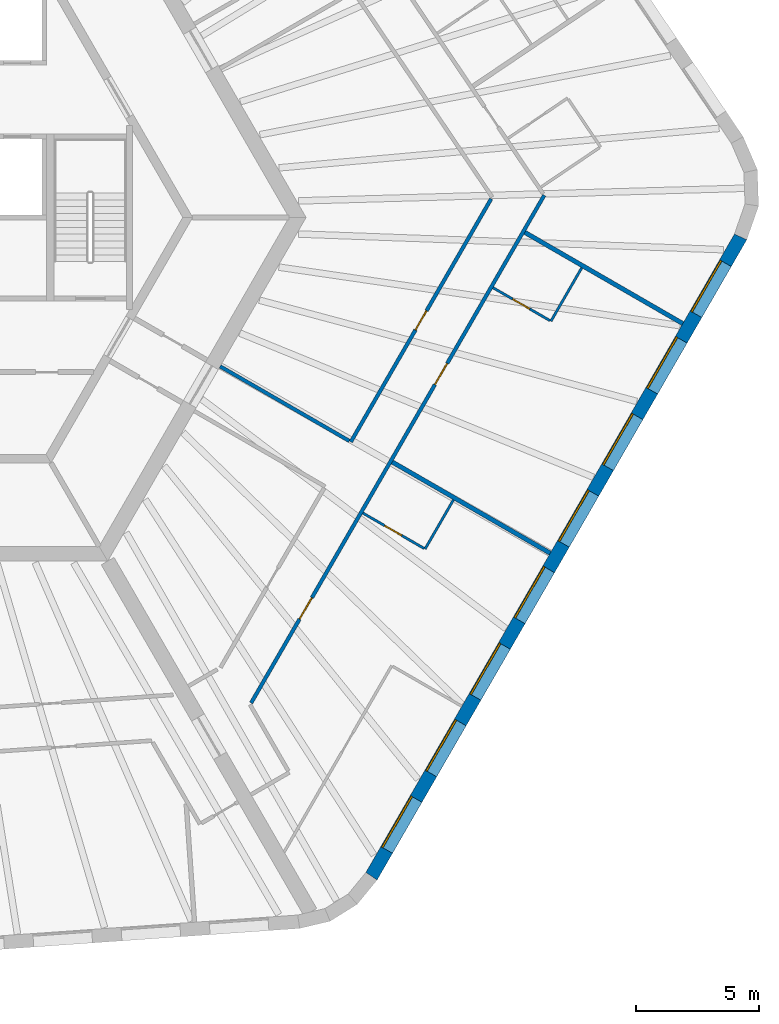
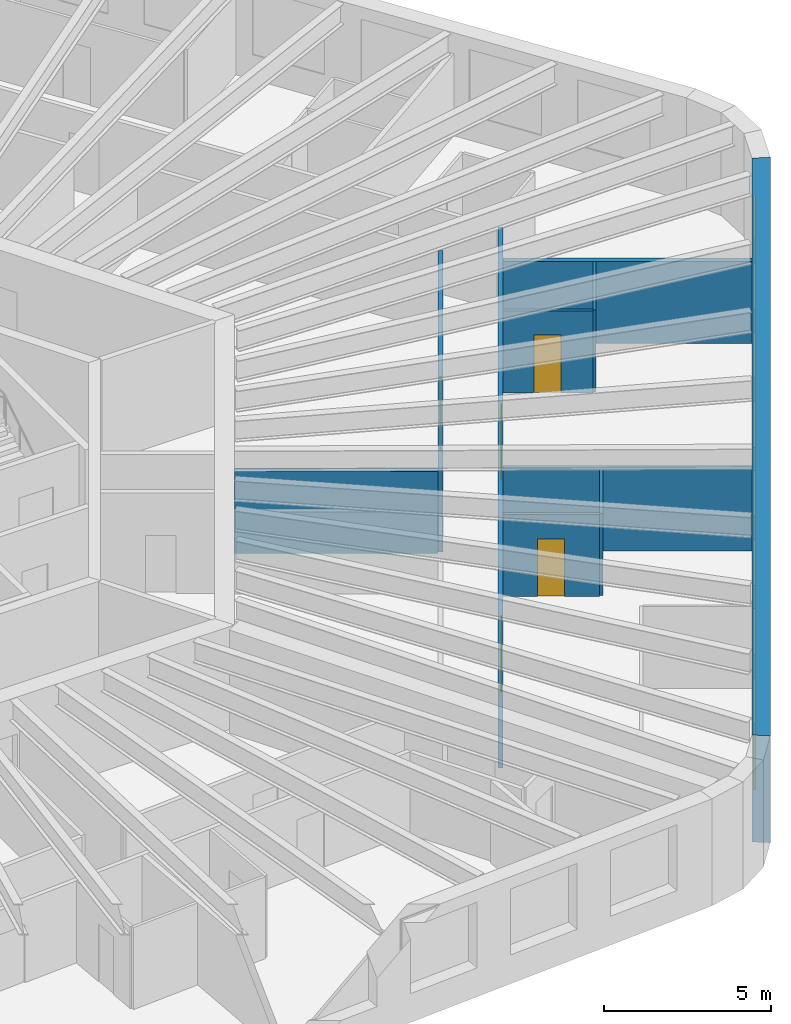
# One storey, part 6 of 12: 10 walls, 8 windows, 5 doors, 13 openings.
"""IFC4 building model written with IfcOpenShell, lengths in metres."""

from ifc_helpers import new_model, si_unit, direction, frame, frame_2d, origin, place, context, subcontext, project, spatial, polyline, rectangle, outline, extrude, material, layer, layer_set, type_object, element, fill, save


model = new_model("IFC4")

# Units and contexts
model_context = context("Model", 3, precision=1e-05, world=origin(), true_north=direction((0.0, 1.0)))
body_context = subcontext(model_context, "Body", "Model", "MODEL_VIEW")
ifc_project = project(units=[si_unit("LENGTHUNIT", "METRE"), si_unit("AREAUNIT", "SQUARE_METRE"), si_unit("VOLUMEUNIT", "CUBIC_METRE"), si_unit("PLANEANGLEUNIT", "RADIAN"), si_unit("MASSUNIT", "GRAM", prefix="KILO")], contexts=[model_context])

# Site, building, storey
site_placement = place(None, origin())
site = spatial("IfcSite", under=ifc_project, at=site_placement, CompositionType="ELEMENT")
building_placement = place(site_placement, origin())
building = spatial("IfcBuilding", under=site, at=building_placement, Name="Tarnside Tower", CompositionType="ELEMENT")
storey_placement = place(building_placement, frame((0.0, 0.0, 76.5)))
storey = spatial("IfcBuildingStorey", under=building, at=storey_placement, Name="L16", CompositionType="ELEMENT", Elevation=76.5)

# Wall
ifc_material_1 = material(Name="Gypsum board partition on steel studs", Category="steel")
ifc_layer_1 = layer(ifc_material_1, 0.10009765625)
ifc_layer_set_1 = layer_set([ifc_layer_1], Name="Bathroom wall 100")
wall_type_1 = type_object("IfcWallType", Name="Bathroom wall 100", PredefinedType="PARTITIONING", material=ifc_layer_set_1)
wall_1_placement = place(storey_placement, frame((22.16796875, -11.504150390625, 0.0), z_axis=(0.0, 0.0, 1.0), x_axis=(-0.500015210774, -0.866016621662, 0.0)))
element("IfcWall", 1, at=wall_1_placement, inside=storey, type_object=wall_type_1, Name="Bathroom wall 04127", PredefinedType="PARTITIONING", context=body_context, shape_type="SweptSolid", body=[
    extrude(rectangle(XDim=2.31005859375, YDim=0.10009765625, at=frame_2d((1.155029296875, 0.0))), origin(), (0.0, 0.0, 1.0), 2.98779296875),
])

# Wall, opening, door
wall_2_placement = place(storey_placement, frame((20.969482421875, -13.479736328125, 0.0), z_axis=(0.0, 0.0, 1.0), x_axis=(-0.866018712932, 0.500011588718, 0.0)))
wall_2 = element("IfcWall", 2, at=wall_2_placement, inside=storey, type_object=wall_type_1, Name="Bathroom wall 04128", PredefinedType="PARTITIONING", context=body_context, shape_type="SweptSolid", body=[
    extrude(rectangle(XDim=2.875, YDim=0.10009765625, at=frame_2d((1.4375, 0.0))), origin(), (0.0, 0.0, 1.0), 2.98779296875),
])
opening_1_placement = place(wall_2_placement, frame((1.050048828125, 0.0, 0.0)))
opening_1 = element("IfcOpeningElement", 3, at=opening_1_placement, cuts=wall_2, Name="Opening D-B1", PredefinedType="OPENING", context=body_context, shape_type="SweptSolid", body=[
    extrude(rectangle(XDim=0.800048828125, YDim=2.10009765625, at=frame_2d((0.39990234375, 1.050048828125))), frame((0.0, 0.06005859375, 0.0), z_axis=(0.0, -1.0, 0.0), x_axis=(1.0, 0.0, 0.0)), (0.0, 0.0, 1.0), 0.1201171875),
])
ifc_material_2 = material(Name="Timber door leaf", Category="wood")
door_type_1 = type_object("IfcDoorType", Name="Bathroom door 800", OperationType="NOTDEFINED", PredefinedType="DOOR", material=ifc_material_2)
door_1_placement = place(opening_1_placement, origin())
door_1 = element("IfcDoor", 4, at=door_1_placement, inside=storey, type_object=door_type_1, Name="Bathroom door 04029", OperationType="SINGLE_SWING_RIGHT", OverallHeight=2.10009765625, OverallWidth=0.800048828125, PredefinedType="DOOR", context=body_context, shape_type="SweptSolid", body=[
    extrude(rectangle(XDim=0.800048828125, YDim=2.10009765625, at=frame_2d((0.39990234375, 1.050048828125))), frame((0.0, 0.02490234375, 0.0), z_axis=(0.0, -1.0, 0.0), x_axis=(1.0, 0.0, 0.0)), (0.0, 0.0, 1.0), 0.050048828125),
])
fill(opening_1, door_1)

# Wall
wall_3_placement = place(storey_placement, frame((27.394775390625, -2.051025390625, 0.0), z_axis=(0.0, 0.0, 1.0), x_axis=(-0.50001992892, -0.866013897511, 0.0)))
element("IfcWall", 5, at=wall_3_placement, inside=storey, type_object=wall_type_1, Name="Bathroom wall 04133", PredefinedType="PARTITIONING", context=body_context, shape_type="SweptSolid", body=[
    extrude(rectangle(XDim=2.51025390625, YDim=0.10009765625, at=frame_2d((1.255126953125, 0.0))), origin(), (0.0, 0.0, 1.0), 2.98779296875),
])

# Wall, opening, door
wall_4_placement = place(storey_placement, frame((26.096435546875, -4.19970703125, 0.0), z_axis=(0.0, 0.0, 1.0), x_axis=(-0.86604424267, 0.499967368674, 0.0)))
wall_4 = element("IfcWall", 6, at=wall_4_placement, inside=storey, type_object=wall_type_1, Name="Bathroom wall 04134", PredefinedType="PARTITIONING", context=body_context, shape_type="SweptSolid", body=[
    extrude(rectangle(XDim=2.675048828125, YDim=0.10009765625, at=frame_2d((1.33740234375, 0.0))), origin(), (0.0, 0.0, 1.0), 2.98779296875),
])
opening_2_placement = place(wall_4_placement, frame((0.949951171875, 0.0, 0.0)))
opening_2 = element("IfcOpeningElement", 7, at=opening_2_placement, cuts=wall_4, Name="Opening D-B1", PredefinedType="OPENING", context=body_context, shape_type="SweptSolid", body=[
    extrude(rectangle(XDim=0.800048828125, YDim=2.10009765625, at=frame_2d((0.39990234375, 1.050048828125))), frame((0.0, 0.06005859375, 0.0), z_axis=(0.0, -1.0, 0.0), x_axis=(1.0, 0.0, 0.0)), (0.0, 0.0, 1.0), 0.1201171875),
])
door_2_placement = place(opening_2_placement, origin())
door_2 = element("IfcDoor", 8, at=door_2_placement, inside=storey, type_object=door_type_1, Name="Bathroom door 04032", OperationType="SINGLE_SWING_LEFT", OverallHeight=2.10009765625, OverallWidth=0.800048828125, PredefinedType="DOOR", context=body_context, shape_type="SweptSolid", body=[
    extrude(rectangle(XDim=0.800048828125, YDim=2.10009765625, at=frame_2d((0.39990234375, 1.050048828125))), frame((0.0, 0.02490234375, 0.0), z_axis=(0.0, -1.0, 0.0), x_axis=(1.0, 0.0, 0.0)), (0.0, 0.0, 1.0), 0.050048828125),
])
fill(opening_2, door_2)

# Wall, openings, doors
ifc_layer_2 = layer(ifc_material_1, 0.14990234375)
ifc_layer_set_2 = layer_set([ifc_layer_2], Name="Corridor wall 150 EI 60")
wall_type_2 = type_object("IfcWallType", Name="Corridor wall 150 EI 60", PredefinedType="PARTITIONING", material=ifc_layer_set_2)
wall_5_placement = place(storey_placement, frame((13.928466796875, -19.77490234375, 0.0), z_axis=(0.0, 0.0, 1.0), x_axis=(0.50000450071, 0.866022805283, 0.0)))
wall_5 = element("IfcWall", 9, at=wall_5_placement, inside=storey, type_object=wall_type_2, Name="Corridor wall 04052", PredefinedType="PARTITIONING", context=body_context, shape_type="SweptSolid", body=[
    extrude(rectangle(XDim=23.877197265625, YDim=0.14990234375, at=frame_2d((11.9384765625, 0.0))), origin(), (0.0, 0.0, 1.0), 2.98779296875),
])
opening_3_placement = place(wall_5_placement, frame((3.94287109375, 0.0, 0.0)))
opening_3 = element("IfcOpeningElement", 10, at=opening_3_placement, cuts=wall_5, Name="Opening D-E1", PredefinedType="OPENING", context=body_context, shape_type="SweptSolid", body=[
    extrude(rectangle(XDim=1.0, YDim=2.10009765625, at=frame_2d((0.5, 1.050048828125))), frame((0.0, 0.0849609375, 0.0), z_axis=(0.0, -1.0, 0.0), x_axis=(1.0, 0.0, 0.0)), (0.0, 0.0, 1.0), 0.169921875),
])
opening_4_placement = place(wall_5_placement, frame((14.972412109375, 0.0, 0.0)))
opening_4 = element("IfcOpeningElement", 11, at=opening_4_placement, cuts=wall_5, Name="Opening D-E1", PredefinedType="OPENING", context=body_context, shape_type="SweptSolid", body=[
    extrude(rectangle(XDim=1.0, YDim=2.10009765625, at=frame_2d((0.5, 1.050048828125))), frame((0.0, 0.0849609375, 0.0), z_axis=(0.0, -1.0, 0.0), x_axis=(1.0, 0.0, 0.0)), (0.0, 0.0, 1.0), 0.169921875),
])
door_type_2 = type_object("IfcDoorType", Name="Unit entrance door 1000 FD30S", OperationType="NOTDEFINED", PredefinedType="DOOR", material=ifc_material_2)
door_3_placement = place(opening_3_placement, origin())
door_3 = element("IfcDoor", 12, at=door_3_placement, inside=storey, type_object=door_type_2, Name="Unit door 04028", OperationType="SINGLE_SWING_RIGHT", OverallHeight=2.10009765625, OverallWidth=1.0, PredefinedType="DOOR", context=body_context, shape_type="SweptSolid", body=[
    extrude(rectangle(XDim=1.0, YDim=2.10009765625, at=frame_2d((0.5, 1.050048828125))), frame((0.0, 0.02490234375, 0.0), z_axis=(0.0, -1.0, 0.0), x_axis=(1.0, 0.0, 0.0)), (0.0, 0.0, 1.0), 0.050048828125),
])
fill(opening_3, door_3)
door_4_placement = place(opening_4_placement, origin())
door_4 = element("IfcDoor", 13, at=door_4_placement, inside=storey, type_object=door_type_2, Name="Unit door 04031", OperationType="SINGLE_SWING_LEFT", OverallHeight=2.10009765625, OverallWidth=1.0, PredefinedType="DOOR", context=body_context, shape_type="SweptSolid", body=[
    extrude(rectangle(XDim=1.0, YDim=2.10009765625, at=frame_2d((0.5, 1.050048828125))), frame((0.0, 0.02490234375, 0.0), z_axis=(0.0, -1.0, 0.0), x_axis=(1.0, 0.0, 0.0)), (0.0, 0.0, 1.0), 0.050048828125),
])
fill(opening_4, door_4)

# Wall, opening, door
wall_6_placement = place(storey_placement, frame((23.704345703125, 0.757080078125, 0.0), z_axis=(0.0, 0.0, 1.0), x_axis=(-0.500010297365, -0.866019458516, 0.0)))
wall_6 = element("IfcWall", 14, at=wall_6_placement, inside=storey, type_object=wall_type_2, Name="Corridor wall 04069", PredefinedType="PARTITIONING", context=body_context, shape_type="SweptSolid", body=[
    extrude(rectangle(XDim=11.428955078125, YDim=0.14990234375, at=frame_2d((5.71435546875, 0.0))), origin(), (0.0, 0.0, 1.0), 2.98779296875),
])
opening_5_placement = place(wall_6_placement, frame((5.264404296875, 0.0, 0.0)))
opening_5 = element("IfcOpeningElement", 15, at=opening_5_placement, cuts=wall_6, Name="Opening D-S1", PredefinedType="OPENING", context=body_context, shape_type="SweptSolid", body=[
    extrude(rectangle(XDim=0.89990234375, YDim=2.10009765625, at=frame_2d((0.449951171875, 1.050048828125))), frame((0.0, 0.0849609375, 0.0), z_axis=(0.0, -1.0, 0.0), x_axis=(1.0, 0.0, 0.0)), (0.0, 0.0, 1.0), 0.169921875),
])
door_type_3 = type_object("IfcDoorType", Name="Service room door 900 FD30S", OperationType="NOTDEFINED", PredefinedType="DOOR", material=ifc_material_2)
door_5_placement = place(opening_5_placement, origin())
door_5 = element("IfcDoor", 16, at=door_5_placement, inside=storey, type_object=door_type_3, Name="Service door 04047", OperationType="SINGLE_SWING_LEFT", OverallHeight=2.10009765625, OverallWidth=0.89990234375, PredefinedType="DOOR", context=body_context, shape_type="SweptSolid", body=[
    extrude(rectangle(XDim=0.89990234375, YDim=2.10009765625, at=frame_2d((0.449951171875, 1.050048828125))), frame((0.0, 0.02490234375, 0.0), z_axis=(0.0, -1.0, 0.0), x_axis=(1.0, 0.0, 0.0)), (0.0, 0.0, 1.0), 0.050048828125),
])
fill(opening_5, door_5)

# Walls
wall_7_placement = place(storey_placement, frame((17.9248046875, -9.103271484375, 0.0), z_axis=(0.0, 0.0, 1.0), x_axis=(-0.866013586754, 0.500020467139, 0.0)))
element("IfcWall", 17, at=wall_7_placement, inside=storey, type_object=wall_type_2, Name="Corridor wall 04070", PredefinedType="PARTITIONING", context=body_context, shape_type="SweptSolid", body=[
    extrude(rectangle(XDim=6.074951171875, YDim=0.14990234375, at=frame_2d((3.03759765625, 0.0))), origin(), (0.0, 0.0, 1.0), 2.98779296875),
])
ifc_layer_3 = layer(ifc_material_1, 0.179931640625)
ifc_layer_set_3 = layer_set([ifc_layer_3], Name="Demising wall 180 EI 60")
wall_type_3 = type_object("IfcWallType", Name="Demising wall 180 EI 60", PredefinedType="PARTITIONING", material=ifc_layer_set_3)
wall_8_placement = place(storey_placement, frame((26.10986328125, -13.67626953125, 0.0), z_axis=(0.0, 0.0, 1.0), x_axis=(-0.866014745021, 0.500018461065, 0.0)))
element("IfcWall", 18, at=wall_8_placement, inside=storey, type_object=wall_type_3, Name="Demising wall 04131", PredefinedType="PARTITIONING", context=body_context, shape_type="SweptSolid", body=[
    extrude(rectangle(XDim=7.425048828125, YDim=0.179931640625, at=frame_2d((3.71240234375, 0.0))), origin(), (0.0, 0.0, 1.0), 2.98779296875),
])
wall_9_placement = place(storey_placement, frame((31.510009765625, -4.322998046875, 0.0), z_axis=(0.0, 0.0, 1.0), x_axis=(-0.866028983062, 0.499993800457, 0.0)))
element("IfcWall", 19, at=wall_9_placement, inside=storey, type_object=wall_type_3, Name="Demising wall 04135", PredefinedType="PARTITIONING", context=body_context, shape_type="SweptSolid", body=[
    extrude(rectangle(XDim=7.4248046875, YDim=0.179931640625, at=frame_2d((3.71240234375, 0.0))), origin(), (0.0, 0.0, 1.0), 2.98779296875),
])

# Wall, openings, windows
ifc_material_3 = material(Name="Facing brick", Category="masonry")
ifc_layer_4 = layer(ifc_material_3, 0.10205078125)
ifc_material_4 = material(Name="Concrete C60/75 precast", Category="concrete")
ifc_layer_5 = layer(ifc_material_4, 0.347900390625)
ifc_material_5 = material(Name="Mineral wool insulation")
ifc_layer_6 = layer(ifc_material_5, 0.10009765625)
ifc_layer_set_4 = layer_set([ifc_layer_4, ifc_layer_5, ifc_layer_6], Name="Tube wall 550 brick faced")
wall_type_4 = type_object("IfcWallType", Name="Tube wall 550 brick faced", PredefinedType="SOLIDWALL", material=ifc_layer_set_4)
wall_10_placement = place(storey_placement, frame((18.830322265625, -26.834716796875, -0.14990234375), z_axis=(0.0, 0.0, 1.0), x_axis=(0.500003800416, 0.866023209602, 0.0)))
wall_10 = element("IfcWall", 20, at=wall_10_placement, inside=storey, type_object=wall_type_4, Name="Tube wall L16 F5 flush 16", PredefinedType="SOLIDWALL", context=body_context, shape_type="SweptSolid", body=[
    extrude(outline(polyline([(-0.0224609375, -0.27490234375), (30.0966796875, -0.27490234375), (30.04541015625, 0.27490234375), (0.0224609375, 0.27490234375), (-0.0224609375, -0.27490234375)])), origin(), (0.0, 0.0, 1.0), 3.89990234375),
])
opening_6_placement = place(wall_10_placement, frame((1.235595703125, 0.0, 1.050048828125)))
opening_6 = element("IfcOpeningElement", 21, at=opening_6_placement, cuts=wall_10, Name="Opening WH", PredefinedType="OPENING", context=body_context, shape_type="SweptSolid", body=[
    extrude(rectangle(XDim=2.39990234375, YDim=2.39990234375, at=frame_2d((1.199951171875, 1.199951171875))), frame((0.0, 0.28515625, 0.0), z_axis=(0.0, -1.0, 0.0), x_axis=(1.0, 0.0, 0.0)), (0.0, 0.0, 1.0), 0.570068359375),
])
opening_7_placement = place(wall_10_placement, frame((4.83544921875, 0.0, 1.050048828125)))
opening_7 = element("IfcOpeningElement", 22, at=opening_7_placement, cuts=wall_10, Name="Opening WH", PredefinedType="OPENING", context=body_context, shape_type="SweptSolid", body=[
    extrude(rectangle(XDim=2.39990234375, YDim=2.39990234375, at=frame_2d((1.199951171875, 1.199951171875))), frame((0.0, 0.28515625, 0.0), z_axis=(0.0, -1.0, 0.0), x_axis=(1.0, 0.0, 0.0)), (0.0, 0.0, 1.0), 0.570068359375),
])
opening_8_placement = place(wall_10_placement, frame((8.435546875, 0.0, 1.050048828125)))
opening_8 = element("IfcOpeningElement", 23, at=opening_8_placement, cuts=wall_10, Name="Opening WH", PredefinedType="OPENING", context=body_context, shape_type="SweptSolid", body=[
    extrude(rectangle(XDim=2.39990234375, YDim=2.39990234375, at=frame_2d((1.199951171875, 1.199951171875))), frame((0.0, 0.28515625, 0.0), z_axis=(0.0, -1.0, 0.0), x_axis=(1.0, 0.0, 0.0)), (0.0, 0.0, 1.0), 0.570068359375),
])
opening_9_placement = place(wall_10_placement, frame((12.035400390625, 0.0, 1.050048828125)))
opening_9 = element("IfcOpeningElement", 24, at=opening_9_placement, cuts=wall_10, Name="Opening WH", PredefinedType="OPENING", context=body_context, shape_type="SweptSolid", body=[
    extrude(rectangle(XDim=2.39990234375, YDim=2.39990234375, at=frame_2d((1.199951171875, 1.199951171875))), frame((0.0, 0.28515625, 0.0), z_axis=(0.0, -1.0, 0.0), x_axis=(1.0, 0.0, 0.0)), (0.0, 0.0, 1.0), 0.570068359375),
])
opening_10_placement = place(wall_10_placement, frame((15.635498046875, 0.0, 1.050048828125)))
opening_10 = element("IfcOpeningElement", 25, at=opening_10_placement, cuts=wall_10, Name="Opening WH", PredefinedType="OPENING", context=body_context, shape_type="SweptSolid", body=[
    extrude(rectangle(XDim=2.39990234375, YDim=2.39990234375, at=frame_2d((1.199951171875, 1.199951171875))), frame((0.0, 0.28515625, 0.0), z_axis=(0.0, -1.0, 0.0), x_axis=(1.0, 0.0, 0.0)), (0.0, 0.0, 1.0), 0.570068359375),
])
opening_11_placement = place(wall_10_placement, frame((19.235595703125, 0.0, 1.050048828125)))
opening_11 = element("IfcOpeningElement", 26, at=opening_11_placement, cuts=wall_10, Name="Opening WH", PredefinedType="OPENING", context=body_context, shape_type="SweptSolid", body=[
    extrude(rectangle(XDim=2.39990234375, YDim=2.39990234375, at=frame_2d((1.199951171875, 1.199951171875))), frame((0.0, 0.28515625, 0.0), z_axis=(0.0, -1.0, 0.0), x_axis=(1.0, 0.0, 0.0)), (0.0, 0.0, 1.0), 0.570068359375),
])
opening_12_placement = place(wall_10_placement, frame((22.83544921875, 0.0, 1.050048828125)))
opening_12 = element("IfcOpeningElement", 27, at=opening_12_placement, cuts=wall_10, Name="Opening WH", PredefinedType="OPENING", context=body_context, shape_type="SweptSolid", body=[
    extrude(rectangle(XDim=2.39990234375, YDim=2.39990234375, at=frame_2d((1.199951171875, 1.199951171875))), frame((0.0, 0.28515625, 0.0), z_axis=(0.0, -1.0, 0.0), x_axis=(1.0, 0.0, 0.0)), (0.0, 0.0, 1.0), 0.570068359375),
])
opening_13_placement = place(wall_10_placement, frame((26.435546875, 0.0, 1.050048828125)))
opening_13 = element("IfcOpeningElement", 28, at=opening_13_placement, cuts=wall_10, Name="Opening WH", PredefinedType="OPENING", context=body_context, shape_type="SweptSolid", body=[
    extrude(rectangle(XDim=2.39990234375, YDim=2.39990234375, at=frame_2d((1.199951171875, 1.199951171875))), frame((0.0, 0.28515625, 0.0), z_axis=(0.0, -1.0, 0.0), x_axis=(1.0, 0.0, 0.0)), (0.0, 0.0, 1.0), 0.570068359375),
])
ifc_material_6 = material(Name="Aluminium-framed double glazing", Category="aluminium")
window_type = type_object("IfcWindowType", Name="Hotel window 2400 x 2400", PartitioningType="DOUBLE_PANEL_VERTICAL", PredefinedType="WINDOW", material=ifc_material_6)
window_1_placement = place(opening_6_placement, frame((0.0, 0.205078125, 0.0)))
window_1 = element("IfcWindow", 29, at=window_1_placement, inside=storey, type_object=window_type, Name="E.WN.L16.F5.00", OverallHeight=2.39990234375, OverallWidth=2.39990234375, PartitioningType="DOUBLE_PANEL_VERTICAL", PredefinedType="WINDOW", context=body_context, shape_type="SweptSolid", body=[
    extrude(rectangle(XDim=2.39990234375, YDim=2.39990234375, at=frame_2d((1.199951171875, 1.199951171875))), frame((0.0, 0.030029296875, 0.0), z_axis=(0.0, -1.0, 0.0), x_axis=(1.0, 0.0, 0.0)), (0.0, 0.0, 1.0), 0.06005859375),
])
fill(opening_6, window_1)
window_2_placement = place(opening_7_placement, frame((0.0, 0.205078125, 0.0)))
window_2 = element("IfcWindow", 30, at=window_2_placement, inside=storey, type_object=window_type, Name="E.WN.L16.F5.01", OverallHeight=2.39990234375, OverallWidth=2.39990234375, PartitioningType="DOUBLE_PANEL_VERTICAL", PredefinedType="WINDOW", context=body_context, shape_type="SweptSolid", body=[
    extrude(rectangle(XDim=2.39990234375, YDim=2.39990234375, at=frame_2d((1.199951171875, 1.199951171875))), frame((0.0, 0.030029296875, 0.0), z_axis=(0.0, -1.0, 0.0), x_axis=(1.0, 0.0, 0.0)), (0.0, 0.0, 1.0), 0.06005859375),
])
fill(opening_7, window_2)
window_3_placement = place(opening_8_placement, frame((0.0, 0.205078125, 0.0)))
window_3 = element("IfcWindow", 31, at=window_3_placement, inside=storey, type_object=window_type, Name="E.WN.L16.F5.02", OverallHeight=2.39990234375, OverallWidth=2.39990234375, PartitioningType="DOUBLE_PANEL_VERTICAL", PredefinedType="WINDOW", context=body_context, shape_type="SweptSolid", body=[
    extrude(rectangle(XDim=2.39990234375, YDim=2.39990234375, at=frame_2d((1.199951171875, 1.199951171875))), frame((0.0, 0.030029296875, 0.0), z_axis=(0.0, -1.0, 0.0), x_axis=(1.0, 0.0, 0.0)), (0.0, 0.0, 1.0), 0.06005859375),
])
fill(opening_8, window_3)
window_4_placement = place(opening_9_placement, frame((0.0, 0.205078125, 0.0)))
window_4 = element("IfcWindow", 32, at=window_4_placement, inside=storey, type_object=window_type, Name="E.WN.L16.F5.03", OverallHeight=2.39990234375, OverallWidth=2.39990234375, PartitioningType="DOUBLE_PANEL_VERTICAL", PredefinedType="WINDOW", context=body_context, shape_type="SweptSolid", body=[
    extrude(rectangle(XDim=2.39990234375, YDim=2.39990234375, at=frame_2d((1.199951171875, 1.199951171875))), frame((0.0, 0.030029296875, 0.0), z_axis=(0.0, -1.0, 0.0), x_axis=(1.0, 0.0, 0.0)), (0.0, 0.0, 1.0), 0.06005859375),
])
fill(opening_9, window_4)
window_5_placement = place(opening_10_placement, frame((0.0, 0.205078125, 0.0)))
window_5 = element("IfcWindow", 33, at=window_5_placement, inside=storey, type_object=window_type, Name="E.WN.L16.F5.04", OverallHeight=2.39990234375, OverallWidth=2.39990234375, PartitioningType="DOUBLE_PANEL_VERTICAL", PredefinedType="WINDOW", context=body_context, shape_type="SweptSolid", body=[
    extrude(rectangle(XDim=2.39990234375, YDim=2.39990234375, at=frame_2d((1.199951171875, 1.199951171875))), frame((0.0, 0.030029296875, 0.0), z_axis=(0.0, -1.0, 0.0), x_axis=(1.0, 0.0, 0.0)), (0.0, 0.0, 1.0), 0.06005859375),
])
fill(opening_10, window_5)
window_6_placement = place(opening_11_placement, frame((0.0, 0.205078125, 0.0)))
window_6 = element("IfcWindow", 34, at=window_6_placement, inside=storey, type_object=window_type, Name="E.WN.L16.F5.05", OverallHeight=2.39990234375, OverallWidth=2.39990234375, PartitioningType="DOUBLE_PANEL_VERTICAL", PredefinedType="WINDOW", context=body_context, shape_type="SweptSolid", body=[
    extrude(rectangle(XDim=2.39990234375, YDim=2.39990234375, at=frame_2d((1.199951171875, 1.199951171875))), frame((0.0, 0.030029296875, 0.0), z_axis=(0.0, -1.0, 0.0), x_axis=(1.0, 0.0, 0.0)), (0.0, 0.0, 1.0), 0.06005859375),
])
fill(opening_11, window_6)
window_7_placement = place(opening_12_placement, frame((0.0, 0.205078125, 0.0)))
window_7 = element("IfcWindow", 35, at=window_7_placement, inside=storey, type_object=window_type, Name="E.WN.L16.F5.06", OverallHeight=2.39990234375, OverallWidth=2.39990234375, PartitioningType="DOUBLE_PANEL_VERTICAL", PredefinedType="WINDOW", context=body_context, shape_type="SweptSolid", body=[
    extrude(rectangle(XDim=2.39990234375, YDim=2.39990234375, at=frame_2d((1.199951171875, 1.199951171875))), frame((0.0, 0.030029296875, 0.0), z_axis=(0.0, -1.0, 0.0), x_axis=(1.0, 0.0, 0.0)), (0.0, 0.0, 1.0), 0.06005859375),
])
fill(opening_12, window_7)
window_8_placement = place(opening_13_placement, frame((0.0, 0.205078125, 0.0)))
window_8 = element("IfcWindow", 36, at=window_8_placement, inside=storey, type_object=window_type, Name="E.WN.L16.F5.07", OverallHeight=2.39990234375, OverallWidth=2.39990234375, PartitioningType="DOUBLE_PANEL_VERTICAL", PredefinedType="WINDOW", context=body_context, shape_type="SweptSolid", body=[
    extrude(rectangle(XDim=2.39990234375, YDim=2.39990234375, at=frame_2d((1.199951171875, 1.199951171875))), frame((0.0, 0.030029296875, 0.0), z_axis=(0.0, -1.0, 0.0), x_axis=(1.0, 0.0, 0.0)), (0.0, 0.0, 1.0), 0.06005859375),
])
fill(opening_13, window_8)

save(model, "model.ifc")
